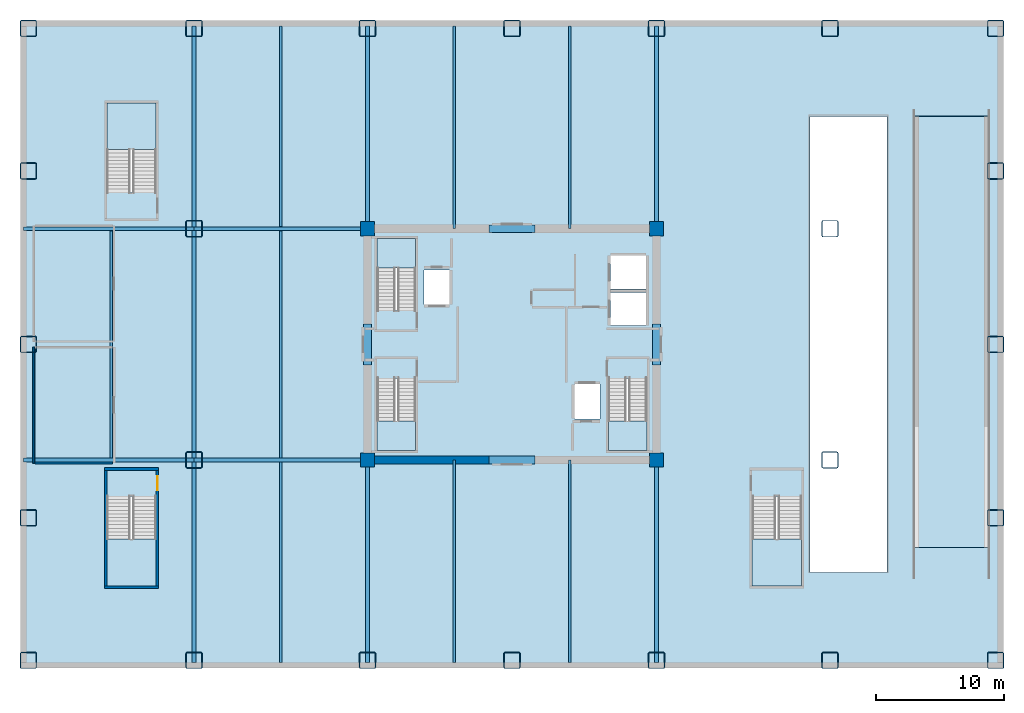
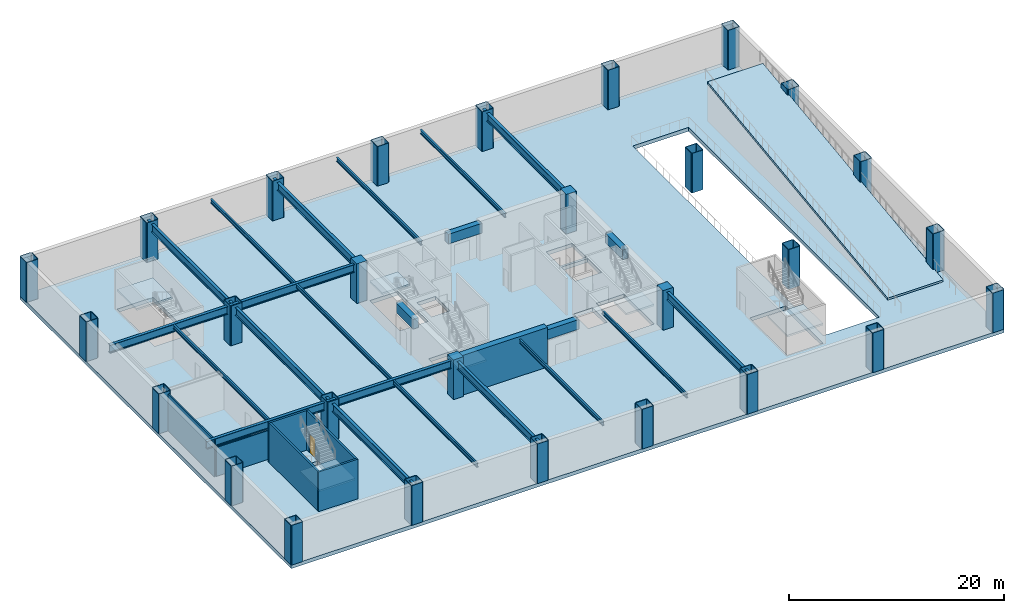
# One storey, part 1 of 9: 28 columns, 23 beams, 8 slabs, 7 walls, 1 door, 1 opening, 6 elements without a shape of their own.
"""IFC4 building model written with IfcOpenShell, lengths in metres."""

from ifc_helpers import new_model, si_unit, direction, frame, frame_2d, origin, origin_2d, place, context, subcontext, project, spatial, polyline, rectangle, hollow_rectangle, i_section, outline, extrude, source, transform, mapped, material, layer, layer_set, material_profile, profile_set, type_object, element, fill, aggregate, save


model = new_model("IFC4")

# Units and contexts
model_context = context("Model", 3, precision=1e-05, world=origin(), true_north=direction((0.0, 1.0)))
body_context = subcontext(model_context, "Body", "Model", "MODEL_VIEW")
ifc_project = project(units=[si_unit("LENGTHUNIT", "METRE"), si_unit("AREAUNIT", "SQUARE_METRE"), si_unit("VOLUMEUNIT", "CUBIC_METRE"), si_unit("PLANEANGLEUNIT", "RADIAN"), si_unit("MASSUNIT", "GRAM", prefix="KILO")], contexts=[model_context])

# Site, building, storey
site_placement = place(None, origin())
site = spatial("IfcSite", under=ifc_project, at=site_placement, CompositionType="ELEMENT")
building_placement = place(site_placement, origin())
building = spatial("IfcBuilding", under=site, at=building_placement, Name="Nefas-Gora Pilgrimage Tower", CompositionType="ELEMENT")
storey_placement = place(building_placement, frame((0.0, 0.0, -4.5)))
storey = spatial("IfcBuildingStorey", under=building, at=storey_placement, Name="B01", CompositionType="ELEMENT", Elevation=-4.5)

# Columns
ifc_material_1 = material(Name="Steel S460", Category="steel")
ifc_material_profile_1 = material_profile(ifc_material_1, hollow_rectangle(XDim=1.300048828125, YDim=1.300048828125, WallThickness=0.06494140625, InnerFilletRadius=0.06494140625, OuterFilletRadius=0.1298828125, at=origin_2d()), Name="BOX 1300x1300x65")
ifc_profile_set_1 = profile_set([ifc_material_profile_1], Name="Steel S460")
column_type_1 = type_object("IfcColumnType", Name="COL-MEGA-1300E", PredefinedType="COLUMN", material=ifc_profile_set_1)
shared_shape_1 = source(origin(), body_context, "Body", "SweptSolid", [
    extrude(hollow_rectangle(XDim=1.300048828125, YDim=1.300048828125, WallThickness=0.06494140625, InnerFilletRadius=0.06494140625, OuterFilletRadius=0.1298828125, at=origin_2d()), origin(), (0.0, 0.0, 1.0), 4.5),
])
for number, where, z_axis, x_axis, name in (
    (1, (-37.64990234375, -24.60009765625, 0.0), (0.0, 0.0, 1.0), (1.0, 0.0, 0.0), "B01 Mega-Column MC-01E.1"),
    (2, (-37.64990234375, -13.5, 0.0), (0.0, 0.0, 1.0), (1.0, 0.0, 0.0), "B01 Mega-Column MC-01E.2"),
    (3, (-37.64990234375, 0.0, 0.0), (0.0, 0.0, 1.0), (1.0, 0.0, 0.0), "B01 Mega-Column MC-01E.3"),
    (4, (-37.64990234375, 13.5, 0.0), (0.0, 0.0, 1.0), (1.0, 0.0, 0.0), "B01 Mega-Column MC-01E.4"),
    (5, (-37.64990234375, 24.60009765625, 0.0), (0.0, 0.0, 1.0), (1.0, 0.0, 0.0), "B01 Mega-Column MC-01E.5"),
    (6, (-24.75, -24.60009765625, 0.0), (0.0, 0.0, 1.0), (1.0, 0.0, 0.0), "B01 Mega-Column MC-01E.6"),
    (7, (-24.75, 24.60009765625, 0.0), (0.0, 0.0, 1.0), (1.0, 0.0, 0.0), "B01 Mega-Column MC-01E.9"),
    (8, (-11.25, -24.60009765625, 0.0), (0.0, 0.0, 1.0), (1.0, 0.0, 0.0), "B01 Mega-Column MC-01E.10"),
    (9, (-11.25, 24.60009765625, 0.0), (0.0, 0.0, 1.0), (1.0, 0.0, 0.0), "B01 Mega-Column MC-01E.13"),
    (10, (0.0, -24.60009765625, 0.0), (0.0, 0.0, 1.0), (1.0, 0.0, 0.0), "B01 Mega-Column MC-01E.14"),
    (11, (0.0, 24.60009765625, 0.0), (0.0, 0.0, 1.0), (1.0, 0.0, 0.0), "B01 Mega-Column MC-01E.15"),
    (12, (11.25, -24.60009765625, 0.0), (0.0, 0.0, 1.0), (1.0, 0.0, 0.0), "B01 Mega-Column MC-01E.16"),
    (13, (11.25, 24.60009765625, 0.0), (0.0, 0.0, 1.0), (1.0, 0.0, 0.0), "B01 Mega-Column MC-01E.19"),
    (14, (24.75, -24.60009765625, 0.0), (0.0, 0.0, 1.0), (1.0, 0.0, 0.0), "B01 Mega-Column MC-01E.20"),
    (15, (24.75, 24.60009765625, 0.0), (0.0, 0.0, 1.0), (1.0, 0.0, 0.0), "B01 Mega-Column MC-01E.23"),
    (16, (37.64990234375, -24.60009765625, 0.0), (0.0, 0.0, 1.0), (1.0, 0.0, 0.0), "B01 Mega-Column MC-01E.24"),
    (17, (37.64990234375, -13.5, 0.0), (0.0, 0.0, 1.0), (1.0, 0.0, 0.0), "B01 Mega-Column MC-01E.25"),
    (18, (37.64990234375, 0.0, 0.0), (0.0, 0.0, 1.0), (1.0, 0.0, 0.0), "B01 Mega-Column MC-01E.26"),
    (19, (37.64990234375, 13.5, 0.0), (0.0, 0.0, 1.0), (1.0, 0.0, 0.0), "B01 Mega-Column MC-01E.27"),
    (20, (37.64990234375, 24.60009765625, 0.0), (0.0, 0.0, 1.0), (1.0, 0.0, 0.0), "B01 Mega-Column MC-01E.28"),
):
    element("IfcColumn", number, at=place(storey_placement, frame(where, z_axis=z_axis, x_axis=x_axis)), inside=storey, type_object=column_type_1, Name=name, PredefinedType="COLUMN", context=body_context, shape_type="MappedRepresentation", body=[
        mapped(shared_shape_1, transform((0.0, 0.0, 0.0), x_axis=(1.0, 0.0, 0.0), y_axis=(0.0, 1.0, 0.0), z_axis=(0.0, 0.0, 1.0), scale=1.0)),
    ])
ifc_material_profile_2 = material_profile(ifc_material_1, hollow_rectangle(XDim=1.300048828125, YDim=1.300048828125, WallThickness=0.06494140625, InnerFilletRadius=0.06494140625, OuterFilletRadius=0.1298828125, at=origin_2d()), Name="BOX 1300x1300x65")
ifc_profile_set_2 = profile_set([ifc_material_profile_2], Name="Steel S460")
column_type_2 = type_object("IfcColumnType", Name="COL-MEGA-1300", PredefinedType="COLUMN", material=ifc_profile_set_2)
shared_shape_2 = source(origin(), body_context, "Body", "SweptSolid", [
    extrude(hollow_rectangle(XDim=1.300048828125, YDim=1.300048828125, WallThickness=0.06494140625, InnerFilletRadius=0.06494140625, OuterFilletRadius=0.1298828125, at=origin_2d()), origin(), (0.0, 0.0, 1.0), 4.5),
])
for number, where, z_axis, x_axis, name in (
    (21, (-24.75, -9.0, 0.0), (0.0, 0.0, 1.0), (1.0, 0.0, 0.0), "B01 Mega-Column MC-01.7"),
    (22, (-24.75, 9.0, 0.0), (0.0, 0.0, 1.0), (1.0, 0.0, 0.0), "B01 Mega-Column MC-01.8"),
    (23, (24.75, -9.0, 0.0), (0.0, 0.0, 1.0), (1.0, 0.0, 0.0), "B01 Mega-Column MC-01.21"),
    (24, (24.75, 9.0, 0.0), (0.0, 0.0, 1.0), (1.0, 0.0, 0.0), "B01 Mega-Column MC-01.22"),
):
    element("IfcColumn", number, at=place(storey_placement, frame(where, z_axis=z_axis, x_axis=x_axis)), inside=storey, type_object=column_type_2, Name=name, PredefinedType="COLUMN", context=body_context, shape_type="MappedRepresentation", body=[
        mapped(shared_shape_2, transform((0.0, 0.0, 0.0), x_axis=(1.0, 0.0, 0.0), y_axis=(0.0, 1.0, 0.0), z_axis=(0.0, 0.0, 1.0), scale=1.0)),
    ])
ifc_material_2 = material(Name="Concrete C60/75", Category="concrete")
ifc_material_profile_3 = material_profile(ifc_material_2, rectangle(XDim=1.10009765625, YDim=1.10009765625, at=origin_2d()), Name="RC 1100x1100")
ifc_profile_set_3 = profile_set([ifc_material_profile_3], Name="Concrete C60/75")
column_type_3 = type_object("IfcColumnType", Name="COL-RC-1100", PredefinedType="COLUMN", material=ifc_profile_set_3)
shared_shape_3 = source(origin(), body_context, "Body", "SweptSolid", [
    extrude(rectangle(XDim=1.10009765625, YDim=1.10009765625, at=origin_2d()), origin(), (0.0, 0.0, 1.0), 4.5),
])
for number, where, z_axis, x_axis, name in (
    (25, (-11.25, -9.0, 0.0), (0.0, 0.0, 1.0), (1.0, 0.0, 0.0), "B01 Mega-Column CRC-01.11"),
    (26, (-11.25, 9.0, 0.0), (0.0, 0.0, 1.0), (1.0, 0.0, 0.0), "B01 Mega-Column CRC-01.12"),
    (27, (11.25, -9.0, 0.0), (0.0, 0.0, 1.0), (1.0, 0.0, 0.0), "B01 Mega-Column CRC-01.17"),
    (28, (11.25, 9.0, 0.0), (0.0, 0.0, 1.0), (1.0, 0.0, 0.0), "B01 Mega-Column CRC-01.18"),
):
    element("IfcColumn", number, at=place(storey_placement, frame(where, z_axis=z_axis, x_axis=x_axis)), inside=storey, type_object=column_type_3, Name=name, PredefinedType="COLUMN", context=body_context, shape_type="MappedRepresentation", body=[
        mapped(shared_shape_3, transform((0.0, 0.0, 0.0), x_axis=(1.0, 0.0, 0.0), y_axis=(0.0, 1.0, 0.0), z_axis=(0.0, 0.0, 1.0), scale=1.0)),
    ])

# Beams
ifc_material_profile_4 = material_profile(ifc_material_2, rectangle(XDim=0.60009765625, YDim=1.10009765625, at=origin_2d()), Name="RC 600x1100")
ifc_profile_set_4 = profile_set([ifc_material_profile_4], Name="Concrete C60/75")
beam_type_1 = type_object("IfcBeamType", Name="BM-LIN-RC1100", PredefinedType="LINTEL", material=ifc_profile_set_4)
shared_shape_4 = source(origin(), body_context, "Body", "SweptSolid", [
    extrude(rectangle(XDim=0.60009765625, YDim=1.10009765625, at=origin_2d()), origin(), (0.0, 0.0, 1.0), 3.60009765625),
])
for number, where, z_axis, x_axis, name in (
    (29, (-1.800048828125, 9.0, 3.64990234375), (1.0, 0.0, 0.0), (0.0, 1.0, 0.0), "B01 Core Coupling Lintel Beam N"),
    (30, (-1.800048828125, -9.0, 3.64990234375), (1.0, 0.0, 0.0), (0.0, 1.0, 0.0), "B01 Core Coupling Lintel Beam S"),
):
    element("IfcBeam", number, at=place(storey_placement, frame(where, z_axis=z_axis, x_axis=x_axis)), inside=storey, type_object=beam_type_1, Name=name, PredefinedType="LINTEL", context=body_context, shape_type="MappedRepresentation", body=[
        mapped(shared_shape_4, transform((0.0, 0.0, 0.0), x_axis=(1.0, 0.0, 0.0), y_axis=(0.0, 1.0, 0.0), z_axis=(0.0, 0.0, 1.0), scale=1.0)),
    ])
shared_shape_5 = source(origin(), body_context, "Body", "SweptSolid", [
    extrude(rectangle(XDim=0.60009765625, YDim=1.10009765625, at=origin_2d()), origin(), (0.0, 0.0, 1.0), 3.2001953125),
])
for number, where, z_axis, x_axis, name in (
    (31, (-11.25, -1.60009765625, 3.64990234375), (0.0, 1.0, 0.0), (-1.0, 0.0, 0.0), "B01 Core Coupling Lintel Beam W"),
    (32, (11.25, -1.60009765625, 3.64990234375), (0.0, 1.0, 0.0), (-1.0, 0.0, 0.0), "B01 Core Coupling Lintel Beam E"),
):
    element("IfcBeam", number, at=place(storey_placement, frame(where, z_axis=z_axis, x_axis=x_axis)), inside=storey, type_object=beam_type_1, Name=name, PredefinedType="LINTEL", context=body_context, shape_type="MappedRepresentation", body=[
        mapped(shared_shape_5, transform((0.0, 0.0, 0.0), x_axis=(1.0, 0.0, 0.0), y_axis=(0.0, 1.0, 0.0), z_axis=(0.0, 0.0, 1.0), scale=1.0)),
    ])
ifc_material_profile_5 = material_profile(ifc_material_1, i_section(OverallWidth=0.300048828125, OverallDepth=0.89990234375, WebThickness=0.0185546875, FlangeThickness=0.034912109375, FilletRadius=0.030029296875, at=origin_2d()), Name="HEB 900")
ifc_profile_set_5 = profile_set([ifc_material_profile_5], Name="Steel S460")
beam_type_2 = type_object("IfcBeamType", Name="BM-POD-HEB900", PredefinedType="BEAM", material=ifc_profile_set_5)
shared_shape_6 = source(origin(), body_context, "Body", "SweptSolid", [
    extrude(i_section(OverallWidth=0.300048828125, OverallDepth=0.89990234375, WebThickness=0.0185546875, FlangeThickness=0.034912109375, FilletRadius=0.030029296875, at=origin_2d()), origin(), (0.0, 0.0, 1.0), 13.5),
])
for number, where, z_axis, x_axis, name in (
    (33, (-24.75, -9.0, 3.75), (1.0, 0.0, 0.0), (0.0, 1.0, 0.0), "B01 PG-02 beam"),
    (34, (-24.75, 9.0, 3.75), (1.0, 0.0, 0.0), (0.0, 1.0, 0.0), "B01 PG-02 beam"),
):
    element("IfcBeam", number, at=place(storey_placement, frame(where, z_axis=z_axis, x_axis=x_axis)), inside=storey, type_object=beam_type_2, Name=name, PredefinedType="BEAM", context=body_context, shape_type="MappedRepresentation", body=[
        mapped(shared_shape_6, transform((0.0, 0.0, 0.0), x_axis=(1.0, 0.0, 0.0), y_axis=(0.0, 1.0, 0.0), z_axis=(0.0, 0.0, 1.0), scale=1.0)),
    ])
shared_shape_7 = source(origin(), body_context, "Body", "SweptSolid", [
    extrude(i_section(OverallWidth=0.300048828125, OverallDepth=0.89990234375, WebThickness=0.0185546875, FlangeThickness=0.034912109375, FilletRadius=0.030029296875, at=origin_2d()), origin(), (0.0, 0.0, 1.0), 18.0),
])
beam_placement = place(storey_placement, frame((-24.75, -9.0, 3.75), z_axis=(0.0, 1.0, 0.0), x_axis=(-1.0, 0.0, 0.0)))
element("IfcBeam", 35, at=beam_placement, inside=storey, type_object=beam_type_2, Name="B01 PG-02 beam", PredefinedType="BEAM", context=body_context, shape_type="MappedRepresentation", body=[
    mapped(shared_shape_7, transform((0.0, 0.0, 0.0), x_axis=(1.0, 0.0, 0.0), y_axis=(0.0, 1.0, 0.0), z_axis=(0.0, 0.0, 1.0), scale=1.0)),
])
ifc_material_3 = material(Name="Steel S355", Category="steel")
ifc_material_profile_6 = material_profile(ifc_material_3, i_section(OverallWidth=0.18994140625, OverallDepth=0.449951171875, WebThickness=0.009521484375, FlangeThickness=0.0146484375, FilletRadius=0.02099609375, at=origin_2d()), Name="IPE 450")
ifc_profile_set_6 = profile_set([ifc_material_profile_6], Name="Steel S355")
beam_type_3 = type_object("IfcBeamType", Name="BM-JST-IPE450", PredefinedType="JOIST", material=ifc_profile_set_6)
shared_shape_8 = source(origin(), body_context, "Body", "SweptSolid", [
    extrude(i_section(OverallWidth=0.18994140625, OverallDepth=0.449951171875, WebThickness=0.009521484375, FlangeThickness=0.0146484375, FilletRadius=0.02099609375, at=origin_2d()), origin(), (0.0, 0.0, 1.0), 17.68798828125),
])
for number, where, z_axis, x_axis, name in (
    (36, (-31.199951171875, -8.843994140625, 3.97509765625), (0.0, 1.0, 0.0), (-1.0, 0.0, 0.0), "B01 J-01 beam"),
    (37, (-18.0, -8.843994140625, 3.97509765625), (0.0, 1.0, 0.0), (-1.0, 0.0, 0.0), "B01 J-01 beam"),
):
    element("IfcBeam", number, at=place(storey_placement, frame(where, z_axis=z_axis, x_axis=x_axis)), inside=storey, type_object=beam_type_3, Name=name, PredefinedType="JOIST", context=body_context, shape_type="MappedRepresentation", body=[
        mapped(shared_shape_8, transform((0.0, 0.0, 0.0), x_axis=(1.0, 0.0, 0.0), y_axis=(0.0, 1.0, 0.0), z_axis=(0.0, 0.0, 1.0), scale=1.0)),
    ])
shared_shape_9 = source(origin(), body_context, "Body", "SweptSolid", [
    extrude(i_section(OverallWidth=0.300048828125, OverallDepth=0.89990234375, WebThickness=0.0185546875, FlangeThickness=0.034912109375, FilletRadius=0.030029296875, at=origin_2d()), origin(), (0.0, 0.0, 1.0), 13.27490234375),
])
for number, where, z_axis, x_axis, name in (
    (38, (-38.02490234375, -9.0, 3.75), (1.0, 0.0, 0.0), (0.0, 1.0, 0.0), "B01 PG-02 beam"),
    (39, (-38.02490234375, 9.0, 3.75), (1.0, 0.0, 0.0), (0.0, 1.0, 0.0), "B01 PG-02 beam"),
):
    element("IfcBeam", number, at=place(storey_placement, frame(where, z_axis=z_axis, x_axis=x_axis)), inside=storey, type_object=beam_type_2, Name=name, PredefinedType="BEAM", context=body_context, shape_type="MappedRepresentation", body=[
        mapped(shared_shape_9, transform((0.0, 0.0, 0.0), x_axis=(1.0, 0.0, 0.0), y_axis=(0.0, 1.0, 0.0), z_axis=(0.0, 0.0, 1.0), scale=1.0)),
    ])
shared_shape_10 = source(origin(), body_context, "Body", "SweptSolid", [
    extrude(i_section(OverallWidth=0.300048828125, OverallDepth=0.89990234375, WebThickness=0.0185546875, FlangeThickness=0.034912109375, FilletRadius=0.030029296875, at=origin_2d()), origin(), (0.0, 0.0, 1.0), 15.77490234375),
])
for number, where, z_axis, x_axis, name in (
    (40, (-24.75, -24.77490234375, 3.75), (0.0, 1.0, 0.0), (-1.0, 0.0, 0.0), "B01 PG-02 beam"),
    (41, (-24.75, 9.0, 3.75), (0.0, 1.0, 0.0), (-1.0, 0.0, 0.0), "B01 PG-02 beam"),
    (42, (-11.25, -24.77490234375, 3.75), (0.0, 1.0, 0.0), (-1.0, 0.0, 0.0), "B01 PG-02 beam"),
    (43, (-11.25, 9.0, 3.75), (0.0, 1.0, 0.0), (-1.0, 0.0, 0.0), "B01 PG-02 beam"),
    (44, (11.25, -24.77490234375, 3.75), (0.0, 1.0, 0.0), (-1.0, 0.0, 0.0), "B01 PG-02 beam"),
    (45, (11.25, 9.0, 3.75), (0.0, 1.0, 0.0), (-1.0, 0.0, 0.0), "B01 PG-02 beam"),
):
    element("IfcBeam", number, at=place(storey_placement, frame(where, z_axis=z_axis, x_axis=x_axis)), inside=storey, type_object=beam_type_2, Name=name, PredefinedType="BEAM", context=body_context, shape_type="MappedRepresentation", body=[
        mapped(shared_shape_10, transform((0.0, 0.0, 0.0), x_axis=(1.0, 0.0, 0.0), y_axis=(0.0, 1.0, 0.0), z_axis=(0.0, 0.0, 1.0), scale=1.0)),
    ])
shared_shape_11 = source(origin(), body_context, "Body", "SweptSolid", [
    extrude(i_section(OverallWidth=0.18994140625, OverallDepth=0.449951171875, WebThickness=0.009521484375, FlangeThickness=0.0146484375, FilletRadius=0.02099609375, at=origin_2d()), origin(), (0.0, 0.0, 1.0), 15.618896484375),
])
for number, where, z_axis, x_axis, name in (
    (46, (-18.0, -24.77490234375, 3.97509765625), (0.0, 1.0, 0.0), (-1.0, 0.0, 0.0), "B01 J-01 beam"),
    (47, (-18.0, 9.156005859375, 3.97509765625), (0.0, 1.0, 0.0), (-1.0, 0.0, 0.0), "B01 J-01 beam"),
):
    element("IfcBeam", number, at=place(storey_placement, frame(where, z_axis=z_axis, x_axis=x_axis)), inside=storey, type_object=beam_type_3, Name=name, PredefinedType="JOIST", context=body_context, shape_type="MappedRepresentation", body=[
        mapped(shared_shape_11, transform((0.0, 0.0, 0.0), x_axis=(1.0, 0.0, 0.0), y_axis=(0.0, 1.0, 0.0), z_axis=(0.0, 0.0, 1.0), scale=1.0)),
    ])
shared_shape_12 = source(origin(), body_context, "Body", "SweptSolid", [
    extrude(i_section(OverallWidth=0.18994140625, OverallDepth=0.449951171875, WebThickness=0.009521484375, FlangeThickness=0.0146484375, FilletRadius=0.02099609375, at=origin_2d()), origin(), (0.0, 0.0, 1.0), 15.77490234375),
])
for number, where, z_axis, x_axis, name in (
    (48, (-4.5, -24.77490234375, 3.97509765625), (0.0, 1.0, 0.0), (-1.0, 0.0, 0.0), "B01 J-01 beam"),
    (49, (-4.5, 9.0, 3.97509765625), (0.0, 1.0, 0.0), (-1.0, 0.0, 0.0), "B01 J-01 beam"),
    (50, (4.5, -24.77490234375, 3.97509765625), (0.0, 1.0, 0.0), (-1.0, 0.0, 0.0), "B01 J-01 beam"),
    (51, (4.5, 9.0, 3.97509765625), (0.0, 1.0, 0.0), (-1.0, 0.0, 0.0), "B01 J-01 beam"),
):
    element("IfcBeam", number, at=place(storey_placement, frame(where, z_axis=z_axis, x_axis=x_axis)), inside=storey, type_object=beam_type_3, Name=name, PredefinedType="JOIST", context=body_context, shape_type="MappedRepresentation", body=[
        mapped(shared_shape_12, transform((0.0, 0.0, 0.0), x_axis=(1.0, 0.0, 0.0), y_axis=(0.0, 1.0, 0.0), z_axis=(0.0, 0.0, 1.0), scale=1.0)),
    ])

# Slabs
ifc_material_4 = material(Name="Concrete C50/60", Category="concrete")
ifc_layer_1 = layer(ifc_material_4, 0.419921875)
ifc_layer_set_1 = layer_set([ifc_layer_1], Name="Concrete C50/60")
slab_type_1 = type_object("IfcSlabType", Name="SLB-BSMT-420", PredefinedType="FLOOR", material=ifc_layer_set_1)
slab_1_placement = place(storey_placement, frame((0.0, 0.0, -0.419921875)))
element("IfcSlab", 52, at=slab_1_placement, inside=storey, type_object=slab_type_1, Name="B01 Structural Floor Slab", PredefinedType="FLOOR", context=body_context, shape_type="SweptSolid", body=[
    extrude(outline(polyline([(38.25, -25.199951171875), (38.25, 25.199951171875), (-38.25, 25.199951171875), (-38.25, -25.199951171875), (38.25, -25.199951171875)]), holes=[polyline([(-10.5, 2.639892578125), (-10.5, 8.25), (-7.5, 8.25), (-7.5, 2.639892578125), (-10.5, 2.639892578125)]), polyline([(10.5, -2.639892578125), (10.5, -8.25), (7.5, -8.25), (7.5, -2.639892578125), (10.5, -2.639892578125)]), polyline([(-7.5, -2.639892578125), (-7.5, -8.25), (-10.5, -8.25), (-10.5, -2.639892578125), (-7.5, -2.639892578125)]), polyline([(-31.5400390625, 11.840087890625), (-31.5400390625, 18.800048828125), (-27.699951171875, 18.800048828125), (-27.699951171875, 11.840087890625), (-31.5400390625, 11.840087890625)]), polyline([(-27.699951171875, -11.840087890625), (-27.699951171875, -18.800048828125), (-31.5400390625, -18.800048828125), (-31.5400390625, -11.840087890625), (-27.699951171875, -11.840087890625)]), polyline([(22.5400390625, -11.840087890625), (22.5400390625, -18.800048828125), (18.699951171875, -18.800048828125), (18.699951171875, -11.840087890625), (22.5400390625, -11.840087890625)]), polyline([(-6.85009765625, 5.800048828125), (-4.85009765625, 5.800048828125), (-4.85009765625, 3.10009765625), (-6.85009765625, 3.10009765625), (-6.85009765625, 5.800048828125)]), polyline([(4.85009765625, -3.10009765625), (6.85009765625, -3.10009765625), (6.85009765625, -5.800048828125), (4.85009765625, -5.800048828125), (4.85009765625, -3.10009765625)]), polyline([(7.64990234375, 4.050048828125), (10.449951171875, 4.050048828125), (10.449951171875, 1.449951171875), (7.64990234375, 1.449951171875), (7.64990234375, 4.050048828125)]), polyline([(7.64990234375, 6.89990234375), (10.449951171875, 6.89990234375), (10.449951171875, 4.300048828125), (7.64990234375, 4.300048828125), (7.64990234375, 6.89990234375)]), polyline([(23.199951171875, 17.75), (29.199951171875, 17.75), (29.199951171875, -17.75), (23.199951171875, -17.75), (23.199951171875, 17.75)])]), origin(), (0.0, 0.0, 1.0), 0.419921875),
])
ifc_material_5 = material(Name="Concrete C40/50", Category="concrete")
ifc_layer_2 = layer(ifc_material_5, 0.25)
ifc_layer_set_2 = layer_set([ifc_layer_2], Name="Concrete C40/50")
slab_type_2 = type_object("IfcSlabType", Name="SLB-RMP-250", PredefinedType="FLOOR", material=ifc_layer_set_2)
slab_2_placement = place(storey_placement, frame((31.219970703125, -15.800048828125, 0.258056640625), z_axis=(0.0, -0.125511338495, 0.992092185187), x_axis=(1.0, 0.0, 0.0)))
element("IfcSlab", 53, at=slab_2_placement, inside=storey, type_object=slab_type_2, Name="Car Park Structural Vehicle Ramp Slab VRS-01 (B01-L00)", PredefinedType="FLOOR", context=body_context, shape_type="SweptSolid", body=[
    extrude(outline(polyline([(0.0, 0.0), (5.9599609375, 0.0), (5.9599609375, 33.79729202337728), (0.0, 33.79729202337728), (0.0, 0.0)])), origin(), (0.0, 0.0, -1.0), 0.25),
])

# Stair, slab
ifc_material_6 = material(Name="Concrete C45/55", Category="concrete")
stair_type_1 = type_object("IfcStairType", Name="STR-1400-R1731", PredefinedType="HALF_TURN_STAIR", material=ifc_material_6)
stair_1_placement = place(storey_placement, origin())
stair_1 = element("IfcStair", 54, at=stair_1_placement, inside=storey, type_object=stair_type_1, Name="B01 Pressurised Tower Exit Stair ST-01", PredefinedType="HALF_TURN_STAIR")
ifc_layer_3 = layer(ifc_material_5, 0.199951171875)
ifc_layer_set_3 = layer_set([ifc_layer_3], Name="Concrete C40/50")
slab_type_3 = type_object("IfcSlabType", Name="STR-LAND-200", PredefinedType="LANDING", material=ifc_layer_set_3)
slab_3_placement = place(storey_placement, frame((0.0, 0.0, 2.050048828125)))
slab_3 = element("IfcSlab", 55, at=slab_3_placement, type_object=slab_type_3, Name="ST-01 landing 1", PredefinedType="LANDING", context=body_context, shape_type="SweptSolid", body=[
    extrude(outline(polyline([(-7.5, 5.9599609375), (-7.5, 8.25), (-10.5, 8.25), (-10.5, 5.9599609375), (-7.5, 5.9599609375)])), origin(), (0.0, 0.0, 1.0), 0.199951171875),
])
aggregate(stair_1, [slab_3])

stair_2_placement = place(storey_placement, origin())
stair_2 = element("IfcStair", 56, at=stair_2_placement, inside=storey, type_object=stair_type_1, Name="B01 Pressurised Tower Exit Stair ST-02", PredefinedType="HALF_TURN_STAIR")
slab_4_placement = place(storey_placement, frame((0.0, 0.0, 2.050048828125)))
slab_4 = element("IfcSlab", 57, at=slab_4_placement, type_object=slab_type_3, Name="ST-02 landing 1", PredefinedType="LANDING", context=body_context, shape_type="SweptSolid", body=[
    extrude(outline(polyline([(7.5, -5.9599609375), (7.5, -8.25), (10.5, -8.25), (10.5, -5.9599609375), (7.5, -5.9599609375)])), origin(), (0.0, 0.0, 1.0), 0.199951171875),
])
aggregate(stair_2, [slab_4])

stair_3_placement = place(storey_placement, origin())
stair_3 = element("IfcStair", 58, at=stair_3_placement, inside=storey, type_object=stair_type_1, Name="B01 Pressurised Tower Exit Stair ST-03", PredefinedType="HALF_TURN_STAIR")
slab_5_placement = place(storey_placement, frame((0.0, 0.0, 2.050048828125)))
slab_5 = element("IfcSlab", 59, at=slab_5_placement, type_object=slab_type_3, Name="ST-03 landing 1", PredefinedType="LANDING", context=body_context, shape_type="SweptSolid", body=[
    extrude(outline(polyline([(-10.5, -5.9599609375), (-10.5, -8.25), (-7.5, -8.25), (-7.5, -5.9599609375), (-10.5, -5.9599609375)])), origin(), (0.0, 0.0, 1.0), 0.199951171875),
])
aggregate(stair_3, [slab_5])

stair_type_2 = type_object("IfcStairType", Name="STR-1820-R1731", PredefinedType="HALF_TURN_STAIR", material=ifc_material_6)
stair_4_placement = place(storey_placement, origin())
stair_4 = element("IfcStair", 60, at=stair_4_placement, inside=storey, type_object=stair_type_2, Name="B01 Podium Exit Stair ST-04", PredefinedType="HALF_TURN_STAIR")
slab_6_placement = place(storey_placement, frame((0.0, 0.0, 2.050048828125)))
slab_6 = element("IfcSlab", 61, at=slab_6_placement, type_object=slab_type_3, Name="ST-04 landing 1", PredefinedType="LANDING", context=body_context, shape_type="SweptSolid", body=[
    extrude(outline(polyline([(-27.699951171875, 15.159912109375), (-27.699951171875, 18.800048828125), (-31.5400390625, 18.800048828125), (-31.5400390625, 15.159912109375), (-27.699951171875, 15.159912109375)])), origin(), (0.0, 0.0, 1.0), 0.199951171875),
])
aggregate(stair_4, [slab_6])

stair_5_placement = place(storey_placement, origin())
stair_5 = element("IfcStair", 62, at=stair_5_placement, inside=storey, type_object=stair_type_2, Name="B01 Podium Exit Stair ST-05", PredefinedType="HALF_TURN_STAIR")
slab_7_placement = place(storey_placement, frame((0.0, 0.0, 2.050048828125)))
slab_7 = element("IfcSlab", 63, at=slab_7_placement, type_object=slab_type_3, Name="ST-05 landing 1", PredefinedType="LANDING", context=body_context, shape_type="SweptSolid", body=[
    extrude(outline(polyline([(-31.5400390625, -15.159912109375), (-31.5400390625, -18.800048828125), (-27.699951171875, -18.800048828125), (-27.699951171875, -15.159912109375), (-31.5400390625, -15.159912109375)])), origin(), (0.0, 0.0, 1.0), 0.199951171875),
])
aggregate(stair_5, [slab_7])

stair_6_placement = place(storey_placement, origin())
stair_6 = element("IfcStair", 64, at=stair_6_placement, inside=storey, type_object=stair_type_2, Name="B01 Podium Exit Stair ST-06", PredefinedType="HALF_TURN_STAIR")
slab_8_placement = place(storey_placement, frame((0.0, 0.0, 2.050048828125)))
slab_8 = element("IfcSlab", 65, at=slab_8_placement, type_object=slab_type_3, Name="ST-06 landing 1", PredefinedType="LANDING", context=body_context, shape_type="SweptSolid", body=[
    extrude(outline(polyline([(18.699951171875, -15.159912109375), (18.699951171875, -18.800048828125), (22.5400390625, -18.800048828125), (22.5400390625, -15.159912109375), (18.699951171875, -15.159912109375)])), origin(), (0.0, 0.0, 1.0), 0.199951171875),
])
aggregate(stair_6, [slab_8])

# Walls
ifc_layer_4 = layer(ifc_material_2, 0.64990234375)
ifc_layer_set_4 = layer_set([ifc_layer_4], Name="Concrete C60/75")
wall_type_1 = type_object("IfcWallType", Name="SW-CORE-650", PredefinedType="SHEAR", material=ifc_layer_set_4)
shared_shape_13 = source(origin(), body_context, "Body", "SweptSolid", [
    extrude(rectangle(XDim=10.02490234375, YDim=0.64990234375, at=frame_2d((5.012451171875, 0.0))), origin(), (0.0, 0.0, 1.0), 4.5),
])
wall_1_placement = place(storey_placement, frame((-11.574951171875, -9.0, 0.0), z_axis=(0.0, 0.0, 1.0), x_axis=(1.0, 0.0, 0.0)))
element("IfcWall", 66, at=wall_1_placement, inside=storey, type_object=wall_type_1, Name="B01 Core Shear Wall S-West", PredefinedType="SHEAR", context=body_context, shape_type="MappedRepresentation", body=[
    mapped(shared_shape_13, transform((0.0, 0.0, 0.0), x_axis=(1.0, 0.0, 0.0), y_axis=(0.0, 1.0, 0.0), z_axis=(0.0, 0.0, 1.0), scale=1.0)),
])
ifc_layer_5 = layer(ifc_material_6, 0.199951171875)
ifc_layer_set_5 = layer_set([ifc_layer_5], Name="Concrete C45/55")
wall_type_2 = type_object("IfcWallType", Name="IW-STAIR-200", PredefinedType="SOLIDWALL", material=ifc_layer_set_5)
shared_shape_14 = source(origin(), body_context, "Body", "SweptSolid", [
    extrude(rectangle(XDim=4.239990234375, YDim=0.199951171875, at=frame_2d((2.1201171875, 0.0))), origin(), (0.0, 0.0, 1.0), 4.5),
])
for number, where, z_axis, x_axis, name in (
    (67, (-31.739990234375, -9.699951171875, 0.0), (0.0, 0.0, 1.0), (1.0, 0.0, 0.0), "B01 Stairwell Shear Wall ST-05-near"),
    (68, (-31.739990234375, -18.89990234375, 0.0), (0.0, 0.0, 1.0), (1.0, 0.0, 0.0), "B01 Stairwell Shear Wall ST-05-far"),
):
    element("IfcWall", number, at=place(storey_placement, frame(where, z_axis=z_axis, x_axis=x_axis)), inside=storey, type_object=wall_type_2, Name=name, PredefinedType="SOLIDWALL", context=body_context, shape_type="MappedRepresentation", body=[
        mapped(shared_shape_14, transform((0.0, 0.0, 0.0), x_axis=(1.0, 0.0, 0.0), y_axis=(0.0, 1.0, 0.0), z_axis=(0.0, 0.0, 1.0), scale=1.0)),
    ])
shared_shape_15 = source(origin(), body_context, "Body", "SweptSolid", [
    extrude(rectangle(XDim=9.0, YDim=0.199951171875, at=frame_2d((4.5, 0.0))), origin(), (0.0, 0.0, 1.0), 4.5),
])
wall_2_placement = place(storey_placement, frame((-31.639892578125, -9.800048828125, 0.0), z_axis=(0.0, 0.0, 1.0), x_axis=(0.0, -1.0, 0.0)))
element("IfcWall", 69, at=wall_2_placement, inside=storey, type_object=wall_type_2, Name="B01 Stairwell Shear Wall ST-05-left", PredefinedType="SOLIDWALL", context=body_context, shape_type="MappedRepresentation", body=[
    mapped(shared_shape_15, transform((0.0, 0.0, 0.0), x_axis=(1.0, 0.0, 0.0), y_axis=(0.0, 1.0, 0.0), z_axis=(0.0, 0.0, 1.0), scale=1.0)),
])

# Wall, opening, door
wall_3_placement = place(storey_placement, frame((-27.60009765625, -9.800048828125, 0.0), z_axis=(0.0, 0.0, 1.0), x_axis=(0.0, -1.0, 0.0)))
wall_3 = element("IfcWall", 70, at=wall_3_placement, inside=storey, type_object=wall_type_2, Name="B01 Stairwell Shear Wall ST-05-right", PredefinedType="SOLIDWALL", context=body_context, shape_type="MappedRepresentation", body=[
    mapped(shared_shape_15, transform((0.0, 0.0, 0.0), x_axis=(1.0, 0.0, 0.0), y_axis=(0.0, 1.0, 0.0), z_axis=(0.0, 0.0, 1.0), scale=1.0)),
])
opening_placement = place(wall_3_placement, frame((0.449951171875, 0.0, 0.0)))
opening = element("IfcOpeningElement", 71, at=opening_placement, cuts=wall_3, Name="Opening ID-ST1", PredefinedType="OPENING", context=body_context, shape_type="SweptSolid", body=[
    extrude(rectangle(XDim=1.10009765625, YDim=2.14990234375, at=frame_2d((0.550048828125, 1.074951171875))), frame((0.0, 0.10986328125, 0.0), z_axis=(0.0, -1.0, 0.0), x_axis=(1.0, 0.0, 0.0)), (0.0, 0.0, 1.0), 0.219970703125),
])
ifc_material_7 = material(Name="Painted galvanised steel fire stair door", Category="steel")
door_type = type_object("IfcDoorType", Name="DR-INT-STAIR-1100", OperationType="NOTDEFINED", PredefinedType="DOOR", material=ifc_material_7)
shared_shape_16 = source(origin(), body_context, "Body", "SweptSolid", [
    extrude(rectangle(XDim=1.10009765625, YDim=2.14990234375, at=frame_2d((0.550048828125, 1.074951171875))), frame((0.0, 0.02490234375, 0.0), z_axis=(0.0, -1.0, 0.0), x_axis=(1.0, 0.0, 0.0)), (0.0, 0.0, 1.0), 0.050048828125),
])
door_placement = place(opening_placement, origin())
door = element("IfcDoor", 72, at=door_placement, inside=storey, type_object=door_type, Name="B01 Protected Exit Stair Door ST-05", OperationType="SINGLE_SWING_LEFT", OverallHeight=2.14990234375, OverallWidth=1.10009765625, PredefinedType="DOOR", context=body_context, shape_type="MappedRepresentation", body=[
    mapped(shared_shape_16, transform((0.0, 0.0, 0.0), x_axis=(1.0, 0.0, 0.0), y_axis=(0.0, 1.0, 0.0), z_axis=(0.0, 0.0, 1.0), scale=1.0)),
])
fill(opening, door)

# Walls
ifc_material_8 = material(Name="Gypsum twin-stud partition")
ifc_layer_6 = layer(ifc_material_8, 0.139892578125)
ifc_layer_set_6 = layer_set([ifc_layer_6], Name="Gypsum twin-stud partition")
wall_type_3 = type_object("IfcWallType", Name="IW-UNIT-140", PredefinedType="PARTITIONING", material=ifc_layer_set_6)
shared_shape_17 = source(origin(), body_context, "Body", "SweptSolid", [
    extrude(rectangle(XDim=9.030029296875, YDim=0.139892578125, at=frame_2d((4.51513671875, 0.0))), origin(), (0.0, 0.0, 1.0), 4.18505859375),
])
wall_4_placement = place(storey_placement, frame((-37.22998046875, -9.239990234375, 0.0), z_axis=(0.0, 0.0, 1.0), x_axis=(0.0, 1.0, 0.0)))
element("IfcWall", 73, at=wall_4_placement, inside=storey, type_object=wall_type_3, Name="B01 Basement Ventilation Fan Room Partition Wall 22", PredefinedType="PARTITIONING", context=body_context, shape_type="MappedRepresentation", body=[
    mapped(shared_shape_17, transform((0.0, 0.0, 0.0), x_axis=(1.0, 0.0, 0.0), y_axis=(0.0, 1.0, 0.0), z_axis=(0.0, 0.0, 1.0), scale=1.0)),
])
shared_shape_18 = source(origin(), body_context, "Body", "SweptSolid", [
    extrude(rectangle(XDim=6.010009765625, YDim=0.139892578125, at=frame_2d((3.0048828125, 0.0))), origin(), (0.0, 0.0, 1.0), 3.27490234375),
])
wall_5_placement = place(storey_placement, frame((-37.1201171875, -9.22998046875, 0.0), z_axis=(0.0, 0.0, 1.0), x_axis=(1.0, 0.0, 0.0)))
element("IfcWall", 74, at=wall_5_placement, inside=storey, type_object=wall_type_3, Name="B01 Basement Ventilation Fan Room Partition Wall 23", PredefinedType="PARTITIONING", context=body_context, shape_type="MappedRepresentation", body=[
    mapped(shared_shape_18, transform((0.0, 0.0, 0.0), x_axis=(1.0, 0.0, 0.0), y_axis=(0.0, 1.0, 0.0), z_axis=(0.0, 0.0, 1.0), scale=1.0)),
])

save(model, "model.ifc")
